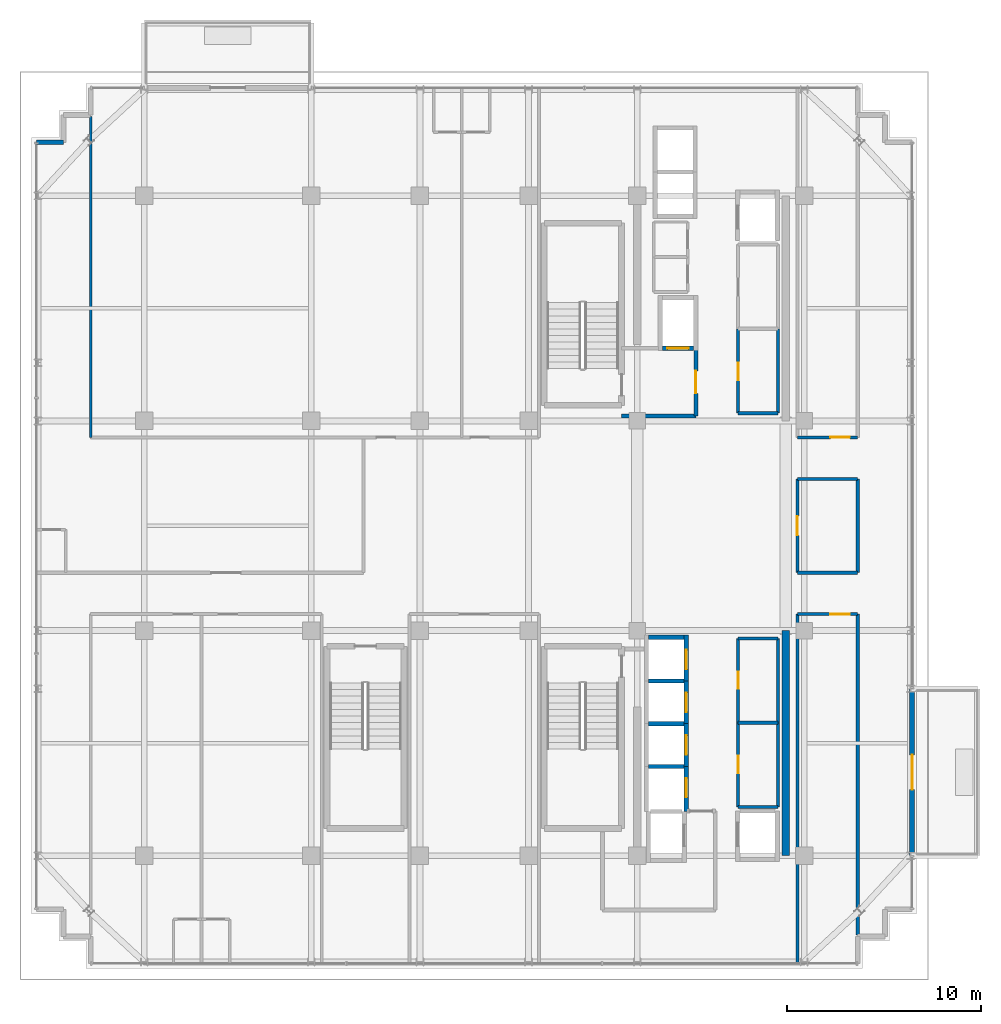
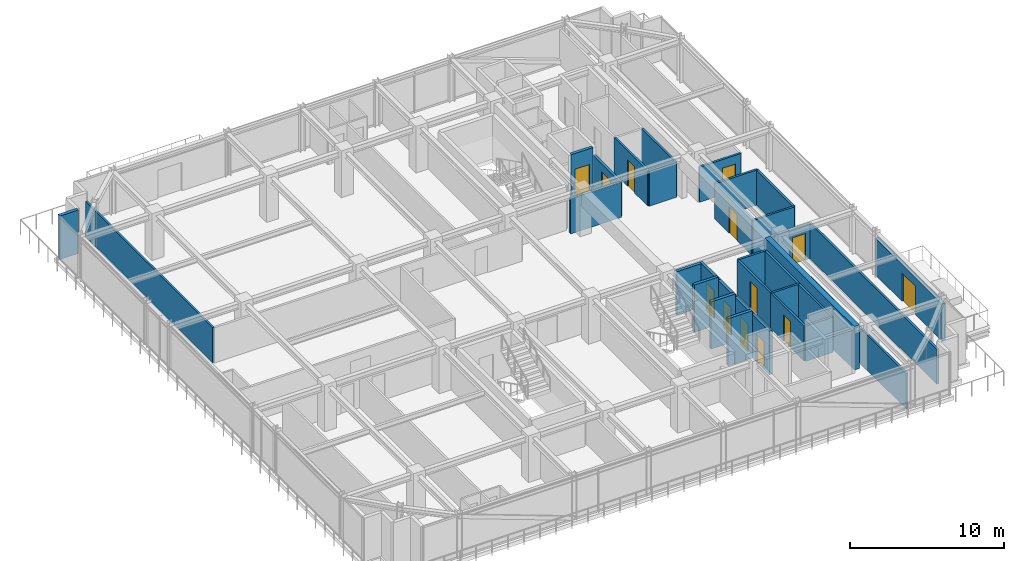
# One storey, part 25 of 32: 33 walls, 13 doors, 13 openings.
"""IFC4 building model written with IfcOpenShell, lengths in metres."""

from ifc_helpers import new_model, si_unit, direction, frame, frame_2d, origin, place, context, subcontext, project, spatial, rectangle, extrude, source, transform, mapped, material, layer, layer_set, type_object, element, fill, save


model = new_model("IFC4")

# Units and contexts
model_context = context("Model", 3, precision=1e-05, world=origin(), true_north=direction((0.0, 1.0)))
body_context = subcontext(model_context, "Body", "Model", "MODEL_VIEW")
ifc_project = project(units=[si_unit("LENGTHUNIT", "METRE"), si_unit("AREAUNIT", "SQUARE_METRE"), si_unit("VOLUMEUNIT", "CUBIC_METRE"), si_unit("PLANEANGLEUNIT", "RADIAN"), si_unit("MASSUNIT", "GRAM", prefix="KILO")], contexts=[model_context])

# Site, building, storey
site_placement = place(None, origin())
site = spatial("IfcSite", under=ifc_project, at=site_placement, CompositionType="ELEMENT")
building_placement = place(site_placement, origin())
building = spatial("IfcBuilding", under=site, at=building_placement, Name="Nahalor Promenade Grand Hotel", CompositionType="ELEMENT")
storey_placement = place(building_placement, frame((0.0, 0.0, 266.300048828125)))
storey = spatial("IfcBuildingStorey", under=building, at=storey_placement, Name="L68", CompositionType="ELEMENT", Elevation=266.300048828125)

# Wall
ifc_material_1 = material(Name="Concrete B-50 (C40/50)", Category="concrete")
ifc_layer_1 = layer(ifc_material_1, 0.39990234375)
ifc_layer_set_1 = layer_set([ifc_layer_1], Name="Concrete B-50 (C40/50)")
wall_type_1 = type_object("IfcWallType", Name="Wall-CoreShear-400", PredefinedType="SHEAR", material=ifc_layer_set_1)
shared_shape_1 = source(origin(), body_context, "Body", "SweptSolid", [
    extrude(rectangle(XDim=11.60009765625, YDim=0.39990234375, at=frame_2d((5.800048828125, 0.0))), origin(), (0.0, 0.0, 1.0), 3.449951171875),
])
wall_1_placement = place(storey_placement, frame((16.050048828125, -17.0, 0.0), z_axis=(0.0, 0.0, 1.0), x_axis=(0.0, 1.0, 0.0)))
element("IfcWall", 1, at=wall_1_placement, inside=storey, type_object=wall_type_1, Name="CWALL-L68-SE", PredefinedType="SHEAR", context=body_context, shape_type="MappedRepresentation", body=[
    mapped(shared_shape_1, transform((0.0, 0.0, 0.0), scale=1.0)),
])

# Wall, opening, door
ifc_layer_2 = layer(ifc_material_1, 0.219970703125)
ifc_layer_set_2 = layer_set([ifc_layer_2], Name="Concrete B-50 (C40/50)")
wall_type_2 = type_object("IfcWallType", Name="Wall-LiftShaft-220", PredefinedType="SHEAR", material=ifc_layer_set_2)
shared_shape_2 = source(origin(), body_context, "Body", "SweptSolid", [
    extrude(rectangle(XDim=2.360107421875, YDim=0.219970703125, at=frame_2d((1.18017578125, 0.0))), origin(), (0.0, 0.0, 1.0), 3.449951171875),
])
wall_2_placement = place(storey_placement, frame((10.919921875, -8.0, 0.0), z_axis=(0.0, 0.0, 1.0), x_axis=(0.0, 1.0, 0.0)))
wall_2 = element("IfcWall", 2, at=wall_2_placement, inside=storey, type_object=wall_type_2, Name="L68 Lift PL9 Hoistway Wall E", PredefinedType="SHEAR", context=body_context, shape_type="MappedRepresentation", body=[
    mapped(shared_shape_2, transform((0.0, 0.0, 0.0), scale=1.0)),
])
opening_1_placement = place(wall_2_placement, frame((0.60009765625, 0.0, 0.0)))
opening_1 = element("IfcOpeningElement", 3, at=opening_1_placement, cuts=wall_2, Name="Opening LD-01", PredefinedType="OPENING", context=body_context, shape_type="SweptSolid", body=[
    extrude(rectangle(XDim=1.0, YDim=2.199951171875, at=frame_2d((0.5, 1.10009765625))), frame((0.0, 0.119873046875, 0.0), z_axis=(0.0, -1.0, 0.0), x_axis=(1.0, 0.0, 0.0)), (0.0, 0.0, 1.0), 0.239990234375),
])
ifc_material_2 = material(Name="Steel S355JR", Category="steel")
door_type_1 = type_object("IfcDoorType", Name="Door-LiftLanding-1000", OperationType="DOUBLE_DOOR_SLIDING", PredefinedType="DOOR", material=ifc_material_2)
shared_shape_3 = source(origin(), body_context, "Body", "SweptSolid", [
    extrude(rectangle(XDim=1.0, YDim=2.199951171875, at=frame_2d((0.5, 1.10009765625))), frame((0.0, 0.02490234375, 0.0), z_axis=(0.0, -1.0, 0.0), x_axis=(1.0, 0.0, 0.0)), (0.0, 0.0, 1.0), 0.050048828125),
])
door_1_placement = place(opening_1_placement, frame((1.0, 0.0, 0.0), z_axis=(0.0, 0.0, 1.0), x_axis=(-1.0, 0.0, 0.0)))
door_1 = element("IfcDoor", 4, at=door_1_placement, inside=storey, type_object=door_type_1, Name="DR-LIFT-PL9-L68", OperationType="DOUBLE_DOOR_SLIDING", OverallHeight=2.199951171875, OverallWidth=1.0, PredefinedType="DOOR", context=body_context, shape_type="MappedRepresentation", body=[
    mapped(shared_shape_3, transform((0.0, 0.0, 0.0), scale=1.0)),
])
fill(opening_1, door_1)

# Wall
shared_shape_4 = source(origin(), body_context, "Body", "SweptSolid", [
    extrude(rectangle(XDim=1.820068359375, YDim=0.219970703125, at=frame_2d((0.91015625, 0.0))), origin(), (0.0, 0.0, 1.0), 3.449951171875),
])
wall_3_placement = place(storey_placement, frame((8.989990234375, -5.75, 0.0), z_axis=(0.0, 0.0, 1.0), x_axis=(1.0, 0.0, 0.0)))
element("IfcWall", 5, at=wall_3_placement, inside=storey, type_object=wall_type_2, Name="L68 Lift PL9 Hoistway Wall N", PredefinedType="SHEAR", context=body_context, shape_type="MappedRepresentation", body=[
    mapped(shared_shape_4, transform((0.0, 0.0, 0.0), scale=1.0)),
])

# Wall, opening, door
shared_shape_5 = source(origin(), body_context, "Body", "SweptSolid", [
    extrude(rectangle(XDim=2.199951171875, YDim=0.219970703125, at=frame_2d((1.10009765625, 0.0))), origin(), (0.0, 0.0, 1.0), 3.449951171875),
])
wall_4_placement = place(storey_placement, frame((10.919921875, -10.199951171875, 0.0), z_axis=(0.0, 0.0, 1.0), x_axis=(0.0, 1.0, 0.0)))
wall_4 = element("IfcWall", 6, at=wall_4_placement, inside=storey, type_object=wall_type_2, Name="L68 Lift PL10 Hoistway Wall E", PredefinedType="SHEAR", context=body_context, shape_type="MappedRepresentation", body=[
    mapped(shared_shape_5, transform((0.0, 0.0, 0.0), scale=1.0)),
])
opening_2_placement = place(wall_4_placement, frame((0.60009765625, 0.0, 0.0)))
opening_2 = element("IfcOpeningElement", 7, at=opening_2_placement, cuts=wall_4, Name="Opening LD-01", PredefinedType="OPENING", context=body_context, shape_type="SweptSolid", body=[
    extrude(rectangle(XDim=1.0, YDim=2.199951171875, at=frame_2d((0.5, 1.10009765625))), frame((0.0, 0.119873046875, 0.0), z_axis=(0.0, -1.0, 0.0), x_axis=(1.0, 0.0, 0.0)), (0.0, 0.0, 1.0), 0.239990234375),
])
door_2_placement = place(opening_2_placement, frame((1.0, 0.0, 0.0), z_axis=(0.0, 0.0, 1.0), x_axis=(-1.0, 0.0, 0.0)))
door_2 = element("IfcDoor", 8, at=door_2_placement, inside=storey, type_object=door_type_1, Name="DR-LIFT-PL10-L68", OperationType="DOUBLE_DOOR_SLIDING", OverallHeight=2.199951171875, OverallWidth=1.0, PredefinedType="DOOR", context=body_context, shape_type="MappedRepresentation", body=[
    mapped(shared_shape_3, transform((0.0, 0.0, 0.0), scale=1.0)),
])
fill(opening_2, door_2)

wall_5_placement = place(storey_placement, frame((10.919921875, -12.39990234375, 0.0), z_axis=(0.0, 0.0, 1.0), x_axis=(0.0, 1.0, 0.0)))
wall_5 = element("IfcWall", 9, at=wall_5_placement, inside=storey, type_object=wall_type_2, Name="L68 Lift PL11 Hoistway Wall E", PredefinedType="SHEAR", context=body_context, shape_type="MappedRepresentation", body=[
    mapped(shared_shape_5, transform((0.0, 0.0, 0.0), scale=1.0)),
])
opening_3_placement = place(wall_5_placement, frame((0.60009765625, 0.0, 0.0)))
opening_3 = element("IfcOpeningElement", 10, at=opening_3_placement, cuts=wall_5, Name="Opening LD-01", PredefinedType="OPENING", context=body_context, shape_type="SweptSolid", body=[
    extrude(rectangle(XDim=1.0, YDim=2.199951171875, at=frame_2d((0.5, 1.10009765625))), frame((0.0, 0.119873046875, 0.0), z_axis=(0.0, -1.0, 0.0), x_axis=(1.0, 0.0, 0.0)), (0.0, 0.0, 1.0), 0.239990234375),
])
door_3_placement = place(opening_3_placement, frame((1.0, 0.0, 0.0), z_axis=(0.0, 0.0, 1.0), x_axis=(-1.0, 0.0, 0.0)))
door_3 = element("IfcDoor", 11, at=door_3_placement, inside=storey, type_object=door_type_1, Name="DR-LIFT-PL11-L68", OperationType="DOUBLE_DOOR_SLIDING", OverallHeight=2.199951171875, OverallWidth=1.0, PredefinedType="DOOR", context=body_context, shape_type="MappedRepresentation", body=[
    mapped(shared_shape_3, transform((0.0, 0.0, 0.0), scale=1.0)),
])
fill(opening_3, door_3)

# Walls
shared_shape_6 = source(origin(), body_context, "Body", "SweptSolid", [
    extrude(rectangle(XDim=1.820068359375, YDim=0.219970703125, at=frame_2d((0.91015625, 0.0))), origin(), (0.0, 0.0, 1.0), 3.75),
])
for number, where, z_axis, x_axis, name in (
    (12, (8.989990234375, -8.0, 0.0), (0.0, 0.0, 1.0), (1.0, 0.0, 0.0), "L68 Lift PL10 Hoistway Wall N"),
    (13, (8.989990234375, -10.199951171875, 0.0), (0.0, 0.0, 1.0), (1.0, 0.0, 0.0), "L68 Lift PL11 Hoistway Wall N"),
    (14, (8.989990234375, -12.39990234375, 0.0), (0.0, 0.0, 1.0), (1.0, 0.0, 0.0), "L68 Lift PL12 Hoistway Wall N"),
):
    element("IfcWall", number, at=place(storey_placement, frame(where, z_axis=z_axis, x_axis=x_axis)), inside=storey, type_object=wall_type_2, Name=name, PredefinedType="SHEAR", context=body_context, shape_type="MappedRepresentation", body=[
        mapped(shared_shape_6, transform((0.0, 0.0, 0.0), scale=1.0)),
    ])

# Wall, opening, door
shared_shape_7 = source(origin(), body_context, "Body", "SweptSolid", [
    extrude(rectangle(XDim=2.3251953125, YDim=0.219970703125, at=frame_2d((1.16259765625, 0.0))), origin(), (0.0, 0.0, 1.0), 3.449951171875),
])
wall_6_placement = place(storey_placement, frame((10.919921875, -14.72509765625, 0.0), z_axis=(0.0, 0.0, 1.0), x_axis=(0.0, 1.0, 0.0)))
wall_6 = element("IfcWall", 15, at=wall_6_placement, inside=storey, type_object=wall_type_2, Name="L68 Lift PL12 Hoistway Wall E", PredefinedType="SHEAR", context=body_context, shape_type="MappedRepresentation", body=[
    mapped(shared_shape_7, transform((0.0, 0.0, 0.0), scale=1.0)),
])
opening_4_placement = place(wall_6_placement, frame((0.72509765625, 0.0, 0.0)))
opening_4 = element("IfcOpeningElement", 16, at=opening_4_placement, cuts=wall_6, Name="Opening LD-01", PredefinedType="OPENING", context=body_context, shape_type="SweptSolid", body=[
    extrude(rectangle(XDim=1.0, YDim=2.199951171875, at=frame_2d((0.5, 1.10009765625))), frame((0.0, 0.119873046875, 0.0), z_axis=(0.0, -1.0, 0.0), x_axis=(1.0, 0.0, 0.0)), (0.0, 0.0, 1.0), 0.239990234375),
])
door_4_placement = place(opening_4_placement, frame((1.0, 0.0, 0.0), z_axis=(0.0, 0.0, 1.0), x_axis=(-1.0, 0.0, 0.0)))
door_4 = element("IfcDoor", 17, at=door_4_placement, inside=storey, type_object=door_type_1, Name="DR-LIFT-PL12-L68", OperationType="DOUBLE_DOOR_SLIDING", OverallHeight=2.199951171875, OverallWidth=1.0, PredefinedType="DOOR", context=body_context, shape_type="MappedRepresentation", body=[
    mapped(shared_shape_3, transform((0.0, 0.0, 0.0), scale=1.0)),
])
fill(opening_4, door_4)

shared_shape_8 = source(origin(), body_context, "Body", "SweptSolid", [
    extrude(rectangle(XDim=1.6201171875, YDim=0.219970703125, at=frame_2d((0.81005859375, 0.0))), origin(), (0.0, 0.0, 1.0), 3.449951171875),
])
wall_7_placement = place(storey_placement, frame((9.68994140625, 9.14990234375, 0.0), z_axis=(0.0, 0.0, 1.0), x_axis=(1.0, 0.0, 0.0)))
wall_7 = element("IfcWall", 18, at=wall_7_placement, inside=storey, type_object=wall_type_2, Name="L68 Lift FL1 Hoistway Wall S", PredefinedType="SHEAR", context=body_context, shape_type="MappedRepresentation", body=[
    mapped(shared_shape_8, transform((0.0, 0.0, 0.0), scale=1.0)),
])
opening_5_placement = place(wall_7_placement, frame((0.260009765625, 0.0, 0.0)))
opening_5 = element("IfcOpeningElement", 19, at=opening_5_placement, cuts=wall_7, Name="Opening LD-02", PredefinedType="OPENING", context=body_context, shape_type="SweptSolid", body=[
    extrude(rectangle(XDim=1.10009765625, YDim=2.199951171875, at=frame_2d((0.550048828125, 1.10009765625))), frame((0.0, 0.119873046875, 0.0), z_axis=(0.0, -1.0, 0.0), x_axis=(1.0, 0.0, 0.0)), (0.0, 0.0, 1.0), 0.239990234375),
])
door_type_2 = type_object("IfcDoorType", Name="Door-LiftFF-1100", OperationType="DOUBLE_DOOR_SLIDING", PredefinedType="DOOR", material=ifc_material_2)
shared_shape_9 = source(origin(), body_context, "Body", "SweptSolid", [
    extrude(rectangle(XDim=1.10009765625, YDim=2.199951171875, at=frame_2d((0.550048828125, 1.10009765625))), frame((0.0, 0.02490234375, 0.0), z_axis=(0.0, -1.0, 0.0), x_axis=(1.0, 0.0, 0.0)), (0.0, 0.0, 1.0), 0.050048828125),
])
door_5_placement = place(opening_5_placement, frame((1.10009765625, 0.0, 0.0), z_axis=(0.0, 0.0, 1.0), x_axis=(-1.0, 0.0, 0.0)))
door_5 = element("IfcDoor", 20, at=door_5_placement, inside=storey, type_object=door_type_2, Name="DR-LIFT-FL1-L68", OperationType="DOUBLE_DOOR_SLIDING", OverallHeight=2.199951171875, OverallWidth=1.10009765625, PredefinedType="DOOR", context=body_context, shape_type="MappedRepresentation", body=[
    mapped(shared_shape_9, transform((0.0, 0.0, 0.0), scale=1.0)),
])
fill(opening_5, door_5)

# Wall
ifc_material_3 = material(Name="Concrete B-40 (C32/40)", Category="concrete")
ifc_layer_3 = layer(ifc_material_3, 0.25)
ifc_layer_set_3 = layer_set([ifc_layer_3], Name="Concrete B-40 (C32/40)")
wall_type_3 = type_object("IfcWallType", Name="Wall-BronzePier-250", PredefinedType="STANDARD", material=ifc_layer_set_3)
shared_shape_10 = source(origin(), body_context, "Body", "SweptSolid", [
    extrude(rectangle(XDim=1.400146484375, YDim=0.25, at=frame_2d((0.7001953125, 0.0))), origin(), (0.0, 0.0, 1.0), 3.449951171875),
])
wall_8_placement = place(storey_placement, frame((-22.56005859375, 19.760009765625, 0.0), z_axis=(0.0, 0.0, 1.0), x_axis=(1.0, 0.0, 0.0)))
element("IfcWall", 21, at=wall_8_placement, inside=storey, type_object=wall_type_3, Name="W-L68-SR-12", PredefinedType="STANDARD", context=body_context, shape_type="MappedRepresentation", body=[
    mapped(shared_shape_10, transform((0.0, 0.0, 0.0), scale=1.0)),
])

# Wall, opening, door
ifc_layer_4 = layer(ifc_material_3, 0.260009765625)
ifc_layer_set_4 = layer_set([ifc_layer_4], Name="Concrete B-40 (C32/40)")
wall_type_4 = type_object("IfcWallType", Name="Wall-BalconyWall-260", PredefinedType="STANDARD", material=ifc_layer_set_4)
shared_shape_11 = source(origin(), body_context, "Body", "SweptSolid", [
    extrude(rectangle(XDim=8.60009765625, YDim=0.260009765625, at=frame_2d((4.300048828125, 0.0))), origin(), (0.0, 0.0, 1.0), 2.929931640625),
])
wall_9_placement = place(storey_placement, frame((22.56005859375, -17.0, 0.0), z_axis=(0.0, 0.0, 1.0), x_axis=(0.0, 1.0, 0.0)))
wall_9 = element("IfcWall", 22, at=wall_9_placement, inside=storey, type_object=wall_type_4, Name="W-L68-BALC-E-2", PredefinedType="STANDARD", context=body_context, shape_type="MappedRepresentation", body=[
    mapped(shared_shape_11, transform((0.0, 0.0, 0.0), scale=1.0)),
])
opening_6_placement = place(wall_9_placement, frame((3.39990234375, 0.0, 0.0)))
opening_6 = element("IfcOpeningElement", 23, at=opening_6_placement, cuts=wall_9, Name="Opening D-BC1", PredefinedType="OPENING", context=body_context, shape_type="SweptSolid", body=[
    extrude(rectangle(XDim=1.800048828125, YDim=2.25, at=frame_2d((0.89990234375, 1.125))), frame((0.0, 0.139892578125, 0.0), z_axis=(0.0, -1.0, 0.0), x_axis=(1.0, 0.0, 0.0)), (0.0, 0.0, 1.0), 0.280029296875),
])
ifc_material_4 = material(Name="Anodised Bronze Aluminium EN AW-6063 T6", Category="aluminium")
door_type_3 = type_object("IfcDoorType", Name="Door-BalconySlide-1800", OperationType="DOUBLE_DOOR_SLIDING", PredefinedType="DOOR", material=ifc_material_4)
shared_shape_12 = source(origin(), body_context, "Body", "SweptSolid", [
    extrude(rectangle(XDim=1.800048828125, YDim=2.25, at=frame_2d((0.89990234375, 1.125))), frame((0.0, 0.02490234375, 0.0), z_axis=(0.0, -1.0, 0.0), x_axis=(1.0, 0.0, 0.0)), (0.0, 0.0, 1.0), 0.050048828125),
])
door_6_placement = place(opening_6_placement, frame((1.800048828125, 0.0, 0.0), z_axis=(0.0, 0.0, 1.0), x_axis=(-1.0, 0.0, 0.0)))
door_6 = element("IfcDoor", 24, at=door_6_placement, inside=storey, type_object=door_type_3, Name="DR-L68-BALC-E-2", OperationType="DOUBLE_DOOR_SLIDING", OverallHeight=2.25, OverallWidth=1.800048828125, PredefinedType="DOOR", context=body_context, shape_type="MappedRepresentation", body=[
    mapped(shared_shape_12, transform((0.0, 0.0, 0.0), scale=1.0)),
])
fill(opening_6, door_6)

# Wall
ifc_layer_5 = layer(ifc_material_3, 0.199951171875)
ifc_layer_set_5 = layer_set([ifc_layer_5], Name="Concrete B-40 (C32/40)")
wall_type_5 = type_object("IfcWallType", Name="Wall-PartFire-200", PredefinedType="PARTITIONING", material=ifc_layer_set_5)
shared_shape_13 = source(origin(), body_context, "Body", "SweptSolid", [
    extrude(rectangle(XDim=3.81982421875, YDim=0.199951171875, at=frame_2d((1.909912109375, 0.0))), origin(), (0.0, 0.0, 1.0), 2.7900390625),
])
wall_10_placement = place(storey_placement, frame((7.60009765625, 5.64990234375, 0.0), z_axis=(0.0, 0.0, 1.0), x_axis=(1.0, 0.0, 0.0)))
element("IfcWall", 25, at=wall_10_placement, inside=storey, type_object=wall_type_5, Name="W-L68-FF1-S", PredefinedType="PARTITIONING", context=body_context, shape_type="MappedRepresentation", body=[
    mapped(shared_shape_13, transform((0.0, 0.0, 0.0), scale=1.0)),
])

# Wall, opening, door
shared_shape_14 = source(origin(), body_context, "Body", "SweptSolid", [
    extrude(rectangle(XDim=3.5, YDim=0.199951171875, at=frame_2d((1.75, 0.0))), origin(), (0.0, 0.0, 1.0), 2.7900390625),
])
wall_11_placement = place(storey_placement, frame((11.419921875, 5.64990234375, 0.0), z_axis=(0.0, 0.0, 1.0), x_axis=(0.0, 1.0, 0.0)))
wall_11 = element("IfcWall", 26, at=wall_11_placement, inside=storey, type_object=wall_type_5, Name="W-L68-FF1-E", PredefinedType="PARTITIONING", context=body_context, shape_type="MappedRepresentation", body=[
    mapped(shared_shape_14, transform((0.0, 0.0, 0.0), scale=1.0)),
])
opening_7_placement = place(wall_11_placement, frame((1.175048828125, 0.0, 0.0)))
opening_7 = element("IfcOpeningElement", 27, at=opening_7_placement, cuts=wall_11, Name="Opening D-FF1", PredefinedType="OPENING", context=body_context, shape_type="SweptSolid", body=[
    extrude(rectangle(XDim=1.14990234375, YDim=2.14990234375, at=frame_2d((0.574951171875, 1.074951171875))), frame((0.0, 0.10986328125, 0.0), z_axis=(0.0, -1.0, 0.0), x_axis=(1.0, 0.0, 0.0)), (0.0, 0.0, 1.0), 0.219970703125),
])
door_type_4 = type_object("IfcDoorType", Name="Door-FFLobby-1150", OperationType="NOTDEFINED", PredefinedType="DOOR", material=ifc_material_2)
shared_shape_15 = source(origin(), body_context, "Body", "SweptSolid", [
    extrude(rectangle(XDim=1.14990234375, YDim=2.14990234375, at=frame_2d((0.574951171875, 1.074951171875))), frame((0.0, 0.02490234375, 0.0), z_axis=(0.0, -1.0, 0.0), x_axis=(1.0, 0.0, 0.0)), (0.0, 0.0, 1.0), 0.050048828125),
])
door_7_placement = place(opening_7_placement, frame((1.14990234375, 0.0, 0.0), z_axis=(0.0, 0.0, 1.0), x_axis=(-1.0, 0.0, 0.0)))
door_7 = element("IfcDoor", 28, at=door_7_placement, inside=storey, type_object=door_type_4, Name="DR-L68-FFL1", OperationType="SINGLE_SWING_RIGHT", OverallHeight=2.14990234375, OverallWidth=1.14990234375, PredefinedType="DOOR", context=body_context, shape_type="MappedRepresentation", body=[
    mapped(shared_shape_15, transform((0.0, 0.0, 0.0), scale=1.0)),
])
fill(opening_7, door_7)

# Walls
ifc_material_5 = material(Name="Acoustic Mineral Gypsum", Category="gypsum")
ifc_layer_6 = layer(ifc_material_5, 0.159912109375)
ifc_layer_set_6 = layer_set([ifc_layer_6], Name="Acoustic Mineral Gypsum")
wall_type_6 = type_object("IfcWallType", Name="Wall-PartCorridor-160", PredefinedType="PARTITIONING", material=ifc_layer_set_6)
shared_shape_16 = source(origin(), body_context, "Body", "SweptSolid", [
    extrude(rectangle(XDim=2.0498046875, YDim=0.159912109375, at=frame_2d((1.02490234375, 0.0))), origin(), (0.0, 0.0, 1.0), 2.7900390625),
])
for number, where, z_axis, x_axis, name in (
    (29, (13.60009765625, 5.800048828125, 0.0), (0.0, 0.0, 1.0), (1.0, 0.0, 0.0), "W-L68-FRB1A-S"),
    (30, (13.60009765625, -14.5, 0.0), (0.0, 0.0, 1.0), (1.0, 0.0, 0.0), "W-L68-FRB2A-S"),
    (31, (13.60009765625, -10.14990234375, 0.0), (0.0, 0.0, 1.0), (1.0, 0.0, 0.0), "W-L68-FRB2A-N"),
    (32, (13.60009765625, -5.800048828125, 0.0), (0.0, 0.0, 1.0), (1.0, 0.0, 0.0), "W-L68-FRB2B-N"),
):
    element("IfcWall", number, at=place(storey_placement, frame(where, z_axis=z_axis, x_axis=x_axis)), inside=storey, type_object=wall_type_6, Name=name, PredefinedType="PARTITIONING", context=body_context, shape_type="MappedRepresentation", body=[
        mapped(shared_shape_16, transform((0.0, 0.0, 0.0), scale=1.0)),
    ])

# Wall, opening, door
shared_shape_17 = source(origin(), body_context, "Body", "SweptSolid", [
    extrude(rectangle(XDim=4.349853515625, YDim=0.159912109375, at=frame_2d((2.1748046875, 0.0))), origin(), (0.0, 0.0, 1.0), 2.7900390625),
])
wall_12_placement = place(storey_placement, frame((13.60009765625, 5.800048828125, 0.0), z_axis=(0.0, 0.0, 1.0), x_axis=(0.0, 1.0, 0.0)))
wall_12 = element("IfcWall", 33, at=wall_12_placement, inside=storey, type_object=wall_type_6, Name="W-L68-FRB1A-W", PredefinedType="PARTITIONING", context=body_context, shape_type="MappedRepresentation", body=[
    mapped(shared_shape_17, transform((0.0, 0.0, 0.0), scale=1.0)),
])
opening_8_placement = place(wall_12_placement, frame((1.7099609375, 0.0, 0.0)))
opening_8 = element("IfcOpeningElement", 34, at=opening_8_placement, cuts=wall_12, Name="Opening D-03", PredefinedType="OPENING", context=body_context, shape_type="SweptSolid", body=[
    extrude(rectangle(XDim=0.8798828125, YDim=2.10009765625, at=frame_2d((0.43994140625, 1.050048828125))), frame((0.0, 0.08984375, 0.0), z_axis=(0.0, -1.0, 0.0), x_axis=(1.0, 0.0, 0.0)), (0.0, 0.0, 1.0), 0.179931640625),
])
ifc_material_6 = material(Name="Fire-Rated Timber Composite", Category="wood")
door_type_5 = type_object("IfcDoorType", Name="Door-BathSwing-880", OperationType="NOTDEFINED", PredefinedType="DOOR", material=ifc_material_6)
shared_shape_18 = source(origin(), body_context, "Body", "SweptSolid", [
    extrude(rectangle(XDim=0.8798828125, YDim=2.10009765625, at=frame_2d((0.43994140625, 1.050048828125))), frame((0.0, 0.02490234375, 0.0), z_axis=(0.0, -1.0, 0.0), x_axis=(1.0, 0.0, 0.0)), (0.0, 0.0, 1.0), 0.050048828125),
])
door_8_placement = place(opening_8_placement, frame((0.8798828125, 0.0, 0.0), z_axis=(0.0, 0.0, 1.0), x_axis=(-1.0, 0.0, 0.0)))
door_8 = element("IfcDoor", 35, at=door_8_placement, inside=storey, type_object=door_type_5, Name="DR-L68-FRB1A", OperationType="SINGLE_SWING_RIGHT", OverallHeight=2.10009765625, OverallWidth=0.8798828125, PredefinedType="DOOR", context=body_context, shape_type="MappedRepresentation", body=[
    mapped(shared_shape_18, transform((0.0, 0.0, 0.0), scale=1.0)),
])
fill(opening_8, door_8)

# Wall
wall_13_placement = place(storey_placement, frame((15.64990234375, 5.800048828125, 0.0), z_axis=(0.0, 0.0, 1.0), x_axis=(0.0, 1.0, 0.0)))
element("IfcWall", 36, at=wall_13_placement, inside=storey, type_object=wall_type_6, Name="W-L68-FRB1A-E", PredefinedType="PARTITIONING", context=body_context, shape_type="MappedRepresentation", body=[
    mapped(shared_shape_17, transform((0.0, 0.0, 0.0), scale=1.0)),
])

# Wall, opening, door
wall_14_placement = place(storey_placement, frame((13.60009765625, -10.14990234375, 0.0), z_axis=(0.0, 0.0, 1.0), x_axis=(0.0, 1.0, 0.0)))
wall_14 = element("IfcWall", 37, at=wall_14_placement, inside=storey, type_object=wall_type_6, Name="W-L68-FRB2B-W", PredefinedType="PARTITIONING", context=body_context, shape_type="MappedRepresentation", body=[
    mapped(shared_shape_17, transform((0.0, 0.0, 0.0), scale=1.0)),
])
opening_9_placement = place(wall_14_placement, frame((1.760009765625, 0.0, 0.0)))
opening_9 = element("IfcOpeningElement", 38, at=opening_9_placement, cuts=wall_14, Name="Opening D-03", PredefinedType="OPENING", context=body_context, shape_type="SweptSolid", body=[
    extrude(rectangle(XDim=0.8798828125, YDim=2.10009765625, at=frame_2d((0.43994140625, 1.050048828125))), frame((0.0, 0.08984375, 0.0), z_axis=(0.0, -1.0, 0.0), x_axis=(1.0, 0.0, 0.0)), (0.0, 0.0, 1.0), 0.179931640625),
])
door_9_placement = place(opening_9_placement, frame((0.8798828125, 0.0, 0.0), z_axis=(0.0, 0.0, 1.0), x_axis=(-1.0, 0.0, 0.0)))
door_9 = element("IfcDoor", 39, at=door_9_placement, inside=storey, type_object=door_type_5, Name="DR-L68-FRB2B", OperationType="SINGLE_SWING_LEFT", OverallHeight=2.10009765625, OverallWidth=0.8798828125, PredefinedType="DOOR", context=body_context, shape_type="MappedRepresentation", body=[
    mapped(shared_shape_18, transform((0.0, 0.0, 0.0), scale=1.0)),
])
fill(opening_9, door_9)

# Wall
wall_15_placement = place(storey_placement, frame((15.64990234375, -10.14990234375, 0.0), z_axis=(0.0, 0.0, 1.0), x_axis=(0.0, 1.0, 0.0)))
element("IfcWall", 40, at=wall_15_placement, inside=storey, type_object=wall_type_6, Name="W-L68-FRB2B-E", PredefinedType="PARTITIONING", context=body_context, shape_type="MappedRepresentation", body=[
    mapped(shared_shape_17, transform((0.0, 0.0, 0.0), scale=1.0)),
])

# Wall, opening, door
shared_shape_19 = source(origin(), body_context, "Body", "SweptSolid", [
    extrude(rectangle(XDim=4.35009765625, YDim=0.159912109375, at=frame_2d((2.175048828125, 0.0))), origin(), (0.0, 0.0, 1.0), 2.7900390625),
])
wall_16_placement = place(storey_placement, frame((13.60009765625, -14.5, 0.0), z_axis=(0.0, 0.0, 1.0), x_axis=(0.0, 1.0, 0.0)))
wall_16 = element("IfcWall", 41, at=wall_16_placement, inside=storey, type_object=wall_type_6, Name="W-L68-FRB2A-W", PredefinedType="PARTITIONING", context=body_context, shape_type="MappedRepresentation", body=[
    mapped(shared_shape_19, transform((0.0, 0.0, 0.0), scale=1.0)),
])
opening_10_placement = place(wall_16_placement, frame((1.760009765625, 0.0, 0.0)))
opening_10 = element("IfcOpeningElement", 42, at=opening_10_placement, cuts=wall_16, Name="Opening D-03", PredefinedType="OPENING", context=body_context, shape_type="SweptSolid", body=[
    extrude(rectangle(XDim=0.8798828125, YDim=2.10009765625, at=frame_2d((0.43994140625, 1.050048828125))), frame((0.0, 0.08984375, 0.0), z_axis=(0.0, -1.0, 0.0), x_axis=(1.0, 0.0, 0.0)), (0.0, 0.0, 1.0), 0.179931640625),
])
door_10_placement = place(opening_10_placement, frame((0.8798828125, 0.0, 0.0), z_axis=(0.0, 0.0, 1.0), x_axis=(-1.0, 0.0, 0.0)))
door_10 = element("IfcDoor", 43, at=door_10_placement, inside=storey, type_object=door_type_5, Name="DR-L68-FRB2A", OperationType="SINGLE_SWING_RIGHT", OverallHeight=2.10009765625, OverallWidth=0.8798828125, PredefinedType="DOOR", context=body_context, shape_type="MappedRepresentation", body=[
    mapped(shared_shape_18, transform((0.0, 0.0, 0.0), scale=1.0)),
])
fill(opening_10, door_10)

# Wall
wall_17_placement = place(storey_placement, frame((15.64990234375, -14.5, 0.0), z_axis=(0.0, 0.0, 1.0), x_axis=(0.0, 1.0, 0.0)))
element("IfcWall", 44, at=wall_17_placement, inside=storey, type_object=wall_type_6, Name="W-L68-FRB2A-E", PredefinedType="PARTITIONING", context=body_context, shape_type="MappedRepresentation", body=[
    mapped(shared_shape_19, transform((0.0, 0.0, 0.0), scale=1.0)),
])

# Wall, opening, door
shared_shape_20 = source(origin(), body_context, "Body", "SweptSolid", [
    extrude(rectangle(XDim=3.110107421875, YDim=0.159912109375, at=frame_2d((1.55517578125, 0.0))), origin(), (0.0, 0.0, 1.0), 2.7900390625),
])
wall_18_placement = place(storey_placement, frame((16.64990234375, 4.550048828125, 0.0), z_axis=(0.0, 0.0, 1.0), x_axis=(1.0, 0.0, 0.0)))
wall_18 = element("IfcWall", 45, at=wall_18_placement, inside=storey, type_object=wall_type_6, Name="W-L68-ENE-S", PredefinedType="PARTITIONING", context=body_context, shape_type="MappedRepresentation", body=[
    mapped(shared_shape_20, transform((0.0, 0.0, 0.0), scale=1.0)),
])
opening_11_placement = place(wall_18_placement, frame((1.700927734375, 0.0, 0.0)))
opening_11 = element("IfcOpeningElement", 46, at=opening_11_placement, cuts=wall_18, Name="Opening D-04", PredefinedType="OPENING", context=body_context, shape_type="SweptSolid", body=[
    extrude(rectangle(XDim=1.0, YDim=2.10009765625, at=frame_2d((0.5, 1.050048828125))), frame((0.0, 0.08984375, 0.0), z_axis=(0.0, -1.0, 0.0), x_axis=(1.0, 0.0, 0.0)), (0.0, 0.0, 1.0), 0.179931640625),
])
door_type_6 = type_object("IfcDoorType", Name="Door-ServiceFire-1000", OperationType="NOTDEFINED", PredefinedType="DOOR", material=ifc_material_2)
shared_shape_21 = source(origin(), body_context, "Body", "SweptSolid", [
    extrude(rectangle(XDim=1.0, YDim=2.10009765625, at=frame_2d((0.5, 1.050048828125))), frame((0.0, 0.02490234375, 0.0), z_axis=(0.0, -1.0, 0.0), x_axis=(1.0, 0.0, 0.0)), (0.0, 0.0, 1.0), 0.050048828125),
])
door_11_placement = place(opening_11_placement, origin())
door_11 = element("IfcDoor", 47, at=door_11_placement, inside=storey, type_object=door_type_6, Name="DR-L68-ENE", OperationType="SINGLE_SWING_RIGHT", OverallHeight=2.10009765625, OverallWidth=1.0, PredefinedType="DOOR", context=body_context, shape_type="MappedRepresentation", body=[
    mapped(shared_shape_21, transform((0.0, 0.0, 0.0), scale=1.0)),
])
fill(opening_11, door_11)

wall_19_placement = place(storey_placement, frame((16.64990234375, -4.550048828125, 0.0), z_axis=(0.0, 0.0, 1.0), x_axis=(1.0, 0.0, 0.0)))
wall_19 = element("IfcWall", 48, at=wall_19_placement, inside=storey, type_object=wall_type_6, Name="W-L68-ESE-N", PredefinedType="PARTITIONING", context=body_context, shape_type="MappedRepresentation", body=[
    mapped(shared_shape_20, transform((0.0, 0.0, 0.0), scale=1.0)),
])
opening_12_placement = place(wall_19_placement, frame((1.700927734375, 0.0, 0.0)))
opening_12 = element("IfcOpeningElement", 49, at=opening_12_placement, cuts=wall_19, Name="Opening D-04", PredefinedType="OPENING", context=body_context, shape_type="SweptSolid", body=[
    extrude(rectangle(XDim=1.0, YDim=2.10009765625, at=frame_2d((0.5, 1.050048828125))), frame((0.0, 0.08984375, 0.0), z_axis=(0.0, -1.0, 0.0), x_axis=(1.0, 0.0, 0.0)), (0.0, 0.0, 1.0), 0.179931640625),
])
door_12_placement = place(opening_12_placement, frame((1.0, 0.0, 0.0), z_axis=(0.0, 0.0, 1.0), x_axis=(-1.0, 0.0, 0.0)))
door_12 = element("IfcDoor", 50, at=door_12_placement, inside=storey, type_object=door_type_6, Name="DR-L68-ESE", OperationType="SINGLE_SWING_LEFT", OverallHeight=2.10009765625, OverallWidth=1.0, PredefinedType="DOOR", context=body_context, shape_type="MappedRepresentation", body=[
    mapped(shared_shape_21, transform((0.0, 0.0, 0.0), scale=1.0)),
])
fill(opening_12, door_12)

# Walls
for number, where, z_axis, x_axis, name in (
    (51, (16.64990234375, -2.419921875, 0.0), (0.0, 0.0, 1.0), (1.0, 0.0, 0.0), "W-L68-ECW-S"),
    (52, (16.64990234375, 2.419921875, 0.0), (0.0, 0.0, 1.0), (1.0, 0.0, 0.0), "W-L68-ECW-N"),
):
    element("IfcWall", number, at=place(storey_placement, frame(where, z_axis=z_axis, x_axis=x_axis)), inside=storey, type_object=wall_type_6, Name=name, PredefinedType="PARTITIONING", context=body_context, shape_type="MappedRepresentation", body=[
        mapped(shared_shape_20, transform((0.0, 0.0, 0.0), scale=1.0)),
    ])
shared_shape_22 = source(origin(), body_context, "Body", "SweptSolid", [
    extrude(rectangle(XDim=17.949951171875, YDim=0.159912109375, at=frame_2d((8.97509765625, 0.0))), origin(), (0.0, 0.0, 1.0), 2.7900390625),
])
wall_20_placement = place(storey_placement, frame((16.64990234375, -22.5, 0.0), z_axis=(0.0, 0.0, 1.0), x_axis=(0.0, 1.0, 0.0)))
element("IfcWall", 53, at=wall_20_placement, inside=storey, type_object=wall_type_6, Name="W-L68-ESE-W", PredefinedType="PARTITIONING", context=body_context, shape_type="MappedRepresentation", body=[
    mapped(shared_shape_22, transform((0.0, 0.0, 0.0), scale=1.0)),
])
shared_shape_23 = source(origin(), body_context, "Body", "SweptSolid", [
    extrude(rectangle(XDim=16.530029296875, YDim=0.159912109375, at=frame_2d((8.26513671875, 0.0))), origin(), (0.0, 0.0, 1.0), 2.7900390625),
])
wall_21_placement = place(storey_placement, frame((19.760009765625, -21.080078125, 0.0), z_axis=(0.0, 0.0, 1.0), x_axis=(0.0, 1.0, 0.0)))
element("IfcWall", 54, at=wall_21_placement, inside=storey, type_object=wall_type_6, Name="W-L68-ESE-E", PredefinedType="PARTITIONING", context=body_context, shape_type="MappedRepresentation", body=[
    mapped(shared_shape_23, transform((0.0, 0.0, 0.0), scale=1.0)),
])
ifc_layer_7 = layer(ifc_material_5, 0.139892578125)
ifc_layer_set_7 = layer_set([ifc_layer_7], Name="Acoustic Mineral Gypsum")
wall_type_7 = type_object("IfcWallType", Name="Wall-PartSuite-140", PredefinedType="PARTITIONING", material=ifc_layer_set_7)
shared_shape_24 = source(origin(), body_context, "Body", "SweptSolid", [
    extrude(rectangle(XDim=16.530029296875, YDim=0.139892578125, at=frame_2d((8.26513671875, 0.0))), origin(), (0.0, 0.0, 1.0), 2.7900390625),
])
wall_22_placement = place(storey_placement, frame((-19.760009765625, 4.550048828125, 0.0), z_axis=(0.0, 0.0, 1.0), x_axis=(0.0, 1.0, 0.0)))
element("IfcWall", 55, at=wall_22_placement, inside=storey, type_object=wall_type_7, Name="W-L68-NW-ENDW", PredefinedType="PARTITIONING", context=body_context, shape_type="MappedRepresentation", body=[
    mapped(shared_shape_24, transform((0.0, 0.0, 0.0), scale=1.0)),
])

# Wall, opening, door
shared_shape_25 = source(origin(), body_context, "Body", "SweptSolid", [
    extrude(rectangle(XDim=4.83984375, YDim=0.159912109375, at=frame_2d((2.419921875, 0.0))), origin(), (0.0, 0.0, 1.0), 2.7900390625),
])
wall_23_placement = place(storey_placement, frame((16.64990234375, -2.419921875, 0.0), z_axis=(0.0, 0.0, 1.0), x_axis=(0.0, 1.0, 0.0)))
wall_23 = element("IfcWall", 56, at=wall_23_placement, inside=storey, type_object=wall_type_6, Name="W-L68-ECW-W", PredefinedType="PARTITIONING", context=body_context, shape_type="MappedRepresentation", body=[
    mapped(shared_shape_25, transform((0.0, 0.0, 0.0), scale=1.0)),
])
opening_13_placement = place(wall_23_placement, frame((1.919921875, 0.0, 0.0)))
opening_13 = element("IfcOpeningElement", 57, at=opening_13_placement, cuts=wall_23, Name="Opening D-04", PredefinedType="OPENING", context=body_context, shape_type="SweptSolid", body=[
    extrude(rectangle(XDim=1.0, YDim=2.10009765625, at=frame_2d((0.5, 1.050048828125))), frame((0.0, 0.08984375, 0.0), z_axis=(0.0, -1.0, 0.0), x_axis=(1.0, 0.0, 0.0)), (0.0, 0.0, 1.0), 0.179931640625),
])
door_13_placement = place(opening_13_placement, frame((1.0, 0.0, 0.0), z_axis=(0.0, 0.0, 1.0), x_axis=(-1.0, 0.0, 0.0)))
door_13 = element("IfcDoor", 58, at=door_13_placement, inside=storey, type_object=door_type_6, Name="DR-L68-ECW", OperationType="SINGLE_SWING_LEFT", OverallHeight=2.10009765625, OverallWidth=1.0, PredefinedType="DOOR", context=body_context, shape_type="MappedRepresentation", body=[
    mapped(shared_shape_21, transform((0.0, 0.0, 0.0), scale=1.0)),
])
fill(opening_13, door_13)

# Wall
wall_24_placement = place(storey_placement, frame((19.760009765625, -2.419921875, 0.0), z_axis=(0.0, 0.0, 1.0), x_axis=(0.0, 1.0, 0.0)))
element("IfcWall", 59, at=wall_24_placement, inside=storey, type_object=wall_type_6, Name="W-L68-ECW-E", PredefinedType="PARTITIONING", context=body_context, shape_type="MappedRepresentation", body=[
    mapped(shared_shape_25, transform((0.0, 0.0, 0.0), scale=1.0)),
])

save(model, "model.ifc")
